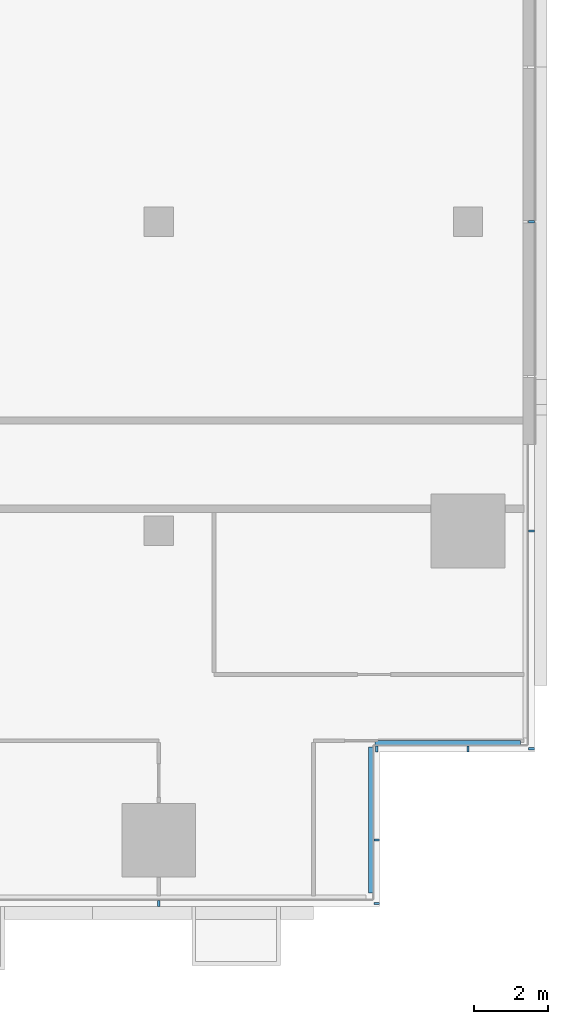
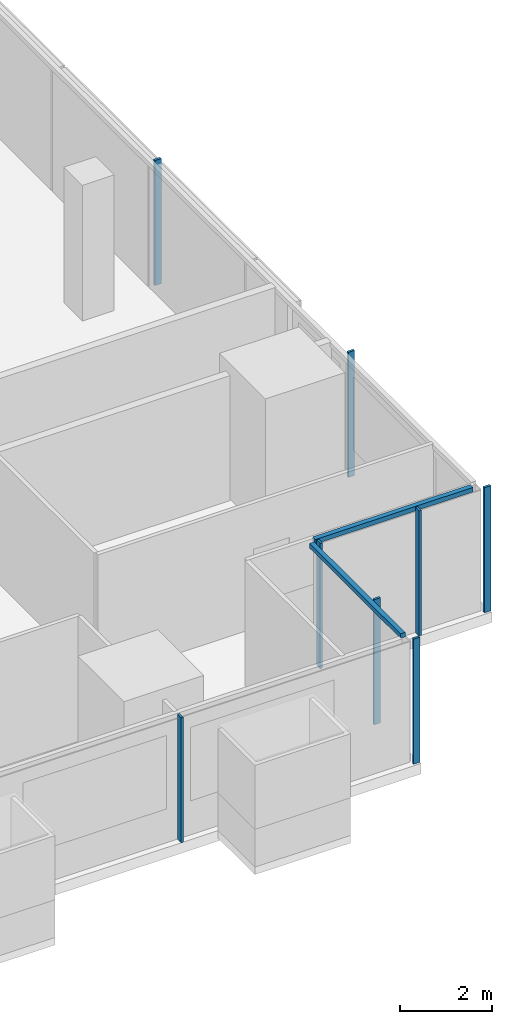
# One storey, part 14 of 30: 10 members, 4 elements without a shape of their own.
"""IFC4 building model written with IfcOpenShell, lengths in metres."""

from ifc_helpers import new_model, si_unit, direction, frame, origin, origin_2d, place, context, subcontext, project, spatial, rectangle, extrude, material, material_profile, profile_set, type_object, element, aggregate, save


model = new_model("IFC4")

# Units and contexts
model_context = context("Model", 3, precision=1e-05, world=origin(), true_north=direction((0.0, 1.0)))
body_context = subcontext(model_context, "Body", "Model", "MODEL_VIEW")
ifc_project = project(units=[si_unit("LENGTHUNIT", "METRE"), si_unit("AREAUNIT", "SQUARE_METRE"), si_unit("VOLUMEUNIT", "CUBIC_METRE"), si_unit("PLANEANGLEUNIT", "RADIAN"), si_unit("MASSUNIT", "GRAM", prefix="KILO")], contexts=[model_context])

# Site, building, storey
site_placement = place(None, origin())
site = spatial("IfcSite", under=ifc_project, at=site_placement, CompositionType="ELEMENT")
building_placement = place(site_placement, origin())
building = spatial("IfcBuilding", under=site, at=building_placement, Name="Saffron Gate Tower", CompositionType="ELEMENT")
storey_placement = place(building_placement, frame((0.0, 0.0, 95.25)))
storey = spatial("IfcBuildingStorey", under=building, at=storey_placement, Name="L21", CompositionType="ELEMENT", Elevation=95.25)

# Curtain wall, member
ifc_material = material(Name="Aluminium, bronze anodised", Category="aluminium")
curtain_wall_type_1 = type_object("IfcCurtainWallType", Name="CWS1 curtain wall front facade", PredefinedType="NOTDEFINED", material=ifc_material)
curtain_wall_1_placement = place(storey_placement, origin())
curtain_wall_1 = element("IfcCurtainWall", 1, at=curtain_wall_1_placement, inside=storey, type_object=curtain_wall_type_1, Name="CWS1 run 1", PredefinedType="NOTDEFINED")
ifc_material_profile_1 = material_profile(ifc_material, rectangle(XDim=0.159912109375, YDim=0.06005859375, at=origin_2d()))
ifc_profile_set_1 = profile_set([ifc_material_profile_1], Name="Aluminium, bronze anodised")
member_type_1 = type_object("IfcMemberType", Name="CWS1 mullion 60x160", PredefinedType="MULLION", material=ifc_profile_set_1)
member_1_placement = place(storey_placement, frame((117.0, 30.080078125, 0.0), z_axis=(0.0, 0.0, 1.0), x_axis=(0.0, 1.0, 0.0)))
member_1 = element("IfcMember", 2, at=member_1_placement, type_object=member_type_1, Name="CWS1 mullion 9", PredefinedType="MULLION", context=body_context, shape_type="SweptSolid", body=[
    extrude(rectangle(XDim=0.159912109375, YDim=0.06005859375, at=origin_2d()), origin(), (0.0, 0.0, 1.0), 3.320068359375),
])
aggregate(curtain_wall_1, [member_1])

# Curtain wall, members
curtain_wall_type_2 = type_object("IfcCurtainWallType", Name="CWS2 curtain wall side facades", PredefinedType="NOTDEFINED", material=ifc_material)
curtain_wall_2_placement = place(storey_placement, origin())
curtain_wall_2 = element("IfcCurtainWall", 3, at=curtain_wall_2_placement, inside=storey, type_object=curtain_wall_type_2, Name="CWS2 run 4", PredefinedType="NOTDEFINED")
ifc_material_profile_2 = material_profile(ifc_material, rectangle(XDim=0.159912109375, YDim=0.06005859375, at=origin_2d()))
ifc_profile_set_2 = profile_set([ifc_material_profile_2], Name="Aluminium, bronze anodised")
member_type_2 = type_object("IfcMemberType", Name="CWS2 mullion 60x160", PredefinedType="MULLION", material=ifc_profile_set_2)
member_2_placement = place(storey_placement, frame((127.1201171875, 34.280029296875, 0.0), z_axis=(0.0, 0.0, 1.0), x_axis=(-1.0, 0.0, 0.0)))
member_2 = element("IfcMember", 4, at=member_2_placement, type_object=member_type_2, Name="CWS2 mullion 1", PredefinedType="MULLION", context=body_context, shape_type="SweptSolid", body=[
    extrude(rectangle(XDim=0.159912109375, YDim=0.06005859375, at=origin_2d()), origin(), (0.0, 0.0, 1.0), 3.320068359375),
])
member_3_placement = place(storey_placement, frame((127.1201171875, 40.199951171875, 0.0), z_axis=(0.0, 0.0, 1.0), x_axis=(-1.0, 0.0, 0.0)))
member_3 = element("IfcMember", 5, at=member_3_placement, type_object=member_type_2, Name="CWS2 mullion 2", PredefinedType="MULLION", context=body_context, shape_type="SweptSolid", body=[
    extrude(rectangle(XDim=0.159912109375, YDim=0.06005859375, at=origin_2d()), origin(), (0.0, 0.0, 1.0), 3.320068359375),
])
member_4_placement = place(storey_placement, frame((127.1201171875, 48.60009765625, 0.0), z_axis=(0.0, 0.0, 1.0), x_axis=(-1.0, 0.0, 0.0)))
member_4 = element("IfcMember", 6, at=member_4_placement, type_object=member_type_2, Name="CWS2 mullion 3", PredefinedType="MULLION", context=body_context, shape_type="SweptSolid", body=[
    extrude(rectangle(XDim=0.159912109375, YDim=0.06005859375, at=origin_2d()), origin(), (0.0, 0.0, 1.0), 3.320068359375),
])
aggregate(curtain_wall_2, [member_2, member_3, member_4])

# Curtain wall, member
curtain_wall_type_3 = type_object("IfcCurtainWallType", Name="CWS4 curtain wall corner returns", PredefinedType="NOTDEFINED", material=ifc_material)
curtain_wall_3_placement = place(storey_placement, origin())
curtain_wall_3 = element("IfcCurtainWall", 7, at=curtain_wall_3_placement, inside=storey, type_object=curtain_wall_type_3, Name="CWS4 run 2", PredefinedType="NOTDEFINED")
ifc_material_profile_3 = material_profile(ifc_material, rectangle(XDim=0.1201171875, YDim=0.1201171875, at=origin_2d()))
ifc_profile_set_3 = profile_set([ifc_material_profile_3], Name="Aluminium, bronze anodised")
member_type_3 = type_object("IfcMemberType", Name="CWS4 head transom", PredefinedType="USERDEFINED", material=ifc_profile_set_3)
member_5_placement = place(storey_placement, frame((122.751953125, 30.367919921875, 3.260009765625), z_axis=(0.0, 1.0, 0.0), x_axis=(-1.0, 0.0, 0.0)))
member_5 = element("IfcMember", 8, at=member_5_placement, type_object=member_type_3, Name="CWS4 head transom", ObjectType="TRANSOM", PredefinedType="USERDEFINED", context=body_context, shape_type="SweptSolid", body=[
    extrude(rectangle(XDim=0.1201171875, YDim=0.1201171875, at=origin_2d()), origin(), (0.0, 0.0, 1.0), 3.9599609375),
])

curtain_wall_4_placement = place(storey_placement, origin())
curtain_wall_4 = element("IfcCurtainWall", 9, at=curtain_wall_4_placement, inside=storey, type_object=curtain_wall_type_3, Name="CWS4 run 3", PredefinedType="NOTDEFINED")
member_6_placement = place(storey_placement, frame((122.8720703125, 34.447998046875, 3.260009765625), z_axis=(1.0, 0.0, 0.0), x_axis=(0.0, 1.0, 0.0)))
member_6 = element("IfcMember", 10, at=member_6_placement, type_object=member_type_3, Name="CWS4 head transom", ObjectType="TRANSOM", PredefinedType="USERDEFINED", context=body_context, shape_type="SweptSolid", body=[
    extrude(rectangle(XDim=0.1201171875, YDim=0.1201171875, at=origin_2d()), origin(), (0.0, 0.0, 1.0), 3.9599609375),
])

# Member
ifc_material_profile_4 = material_profile(ifc_material, rectangle(XDim=0.159912109375, YDim=0.06005859375, at=origin_2d()))
ifc_profile_set_4 = profile_set([ifc_material_profile_4], Name="Aluminium, bronze anodised")
member_type_4 = type_object("IfcMemberType", Name="CWS4 mullion 60x160", PredefinedType="MULLION", material=ifc_profile_set_4)
member_7_placement = place(storey_placement, frame((122.919921875, 30.080078125, 0.0), z_axis=(0.0, 0.0, 1.0), x_axis=(-1.0, 0.0, 0.0)))
member_7 = element("IfcMember", 11, at=member_7_placement, type_object=member_type_4, Name="CWS4 mullion 1", PredefinedType="MULLION", context=body_context, shape_type="SweptSolid", body=[
    extrude(rectangle(XDim=0.159912109375, YDim=0.06005859375, at=origin_2d()), origin(), (0.0, 0.0, 1.0), 3.320068359375),
])

member_8_placement = place(storey_placement, frame((122.919921875, 31.800048828125, 0.0), z_axis=(0.0, 0.0, 1.0), x_axis=(-1.0, 0.0, 0.0)))
member_8 = element("IfcMember", 12, at=member_8_placement, type_object=member_type_4, Name="CWS4 mullion 2", PredefinedType="MULLION", context=body_context, shape_type="SweptSolid", body=[
    extrude(rectangle(XDim=0.159912109375, YDim=0.06005859375, at=origin_2d()), origin(), (0.0, 0.0, 1.0), 3.320068359375),
])

aggregate(curtain_wall_3, [member_7, member_8, member_5])

member_9_placement = place(storey_placement, frame((122.919921875, 34.280029296875, 0.0), z_axis=(0.0, 0.0, 1.0), x_axis=(0.0, 1.0, 0.0)))
member_9 = element("IfcMember", 13, at=member_9_placement, type_object=member_type_4, Name="CWS4 mullion 1", PredefinedType="MULLION", context=body_context, shape_type="SweptSolid", body=[
    extrude(rectangle(XDim=0.159912109375, YDim=0.06005859375, at=origin_2d()), origin(), (0.0, 0.0, 1.0), 3.320068359375),
])

member_10_placement = place(storey_placement, frame((125.39990234375, 34.280029296875, 0.0), z_axis=(0.0, 0.0, 1.0), x_axis=(0.0, 1.0, 0.0)))
member_10 = element("IfcMember", 14, at=member_10_placement, type_object=member_type_4, Name="CWS4 mullion 2", PredefinedType="MULLION", context=body_context, shape_type="SweptSolid", body=[
    extrude(rectangle(XDim=0.159912109375, YDim=0.06005859375, at=origin_2d()), origin(), (0.0, 0.0, 1.0), 3.320068359375),
])

aggregate(curtain_wall_4, [member_9, member_10, member_6])

save(model, "model.ifc")
